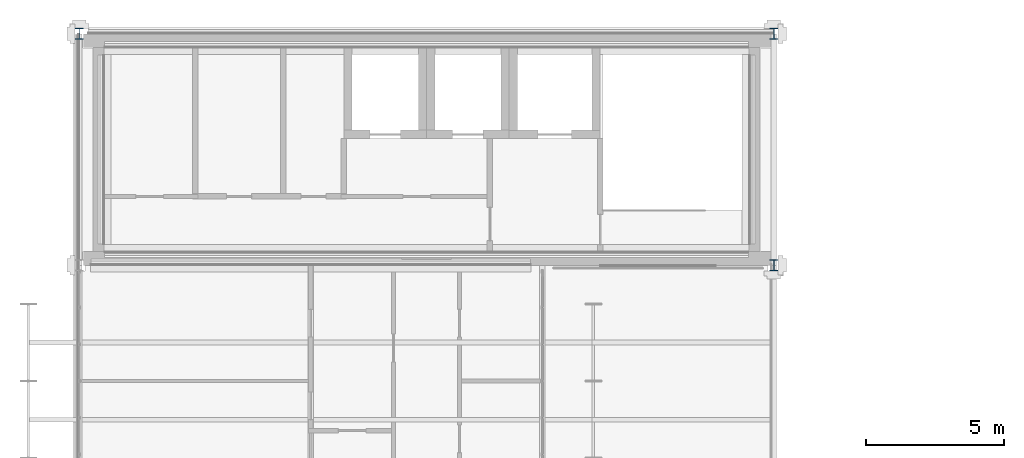
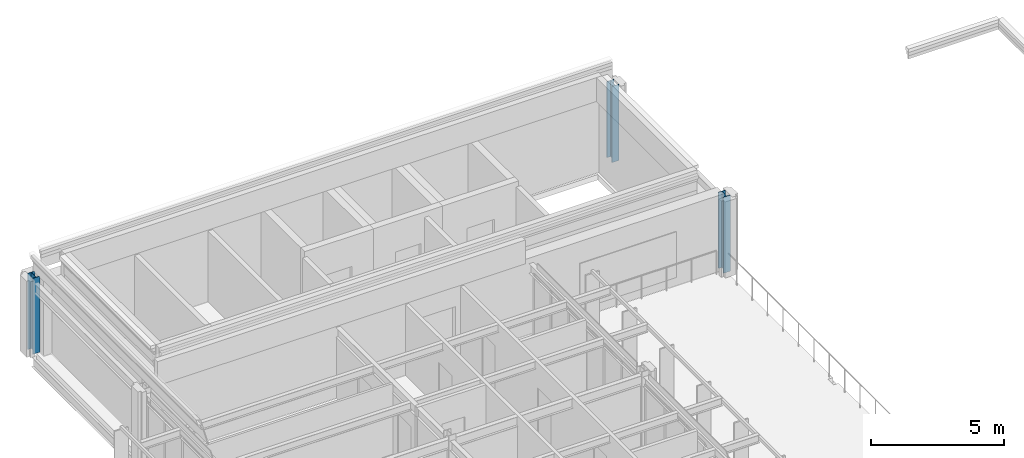
# One storey, part 2 of 31: 3 columns.
"""IFC4 building model written with IfcOpenShell, lengths in metres."""

from ifc_helpers import new_model, si_unit, direction, frame, origin, origin_2d, place, context, subcontext, project, spatial, i_section, extrude, material, material_profile, profile_set, type_object, element, save


model = new_model("IFC4")

# Units and contexts
model_context = context("Model", 3, precision=1e-05, world=origin(), true_north=direction((0.0, 1.0)))
body_context = subcontext(model_context, "Body", "Model", "MODEL_VIEW")
ifc_project = project(units=[si_unit("LENGTHUNIT", "METRE"), si_unit("AREAUNIT", "SQUARE_METRE"), si_unit("VOLUMEUNIT", "CUBIC_METRE"), si_unit("PLANEANGLEUNIT", "RADIAN"), si_unit("MASSUNIT", "GRAM", prefix="KILO")], contexts=[model_context])

# Site, building, storey
site_placement = place(None, origin())
site = spatial("IfcSite", under=ifc_project, at=site_placement, CompositionType="ELEMENT")
building_placement = place(site_placement, origin())
building = spatial("IfcBuilding", under=site, at=building_placement, Name="Catenary Quay Ferry Terminal", CompositionType="ELEMENT")
storey_placement = place(building_placement, frame((0.0, 0.0, 20.60009765625)))
storey = spatial("IfcBuildingStorey", under=building, at=storey_placement, Name="L04", CompositionType="ELEMENT", Elevation=20.60009765625)

# Columns
ifc_material = material(Name="Steel S355", Category="steel")
ifc_material_profile = material_profile(ifc_material, i_section(OverallWidth=0.300048828125, OverallDepth=0.39990234375, WebThickness=0.013427734375, FlangeThickness=0.02392578125, at=origin_2d()), Name="HEB 400")
ifc_profile_set = profile_set([ifc_material_profile], Name="Steel S355")
column_type = type_object("IfcColumnType", Name="C2 HEB 400", PredefinedType="COLUMN", material=ifc_profile_set)
for number, where, z_axis, x_axis, name in (
    (1, (25.199951171875, 210.0, 0.0), (0.0, 0.0, 1.0), (1.0, 0.0, 0.0), "Column C-D26 L04"),
    (2, (50.39990234375, 201.60009765625, 0.0), (0.0, 0.0, 1.0), (1.0, 0.0, 0.0), "Column C-G25 L04"),
    (3, (50.39990234375, 210.0, 0.0), (0.0, 0.0, 1.0), (1.0, 0.0, 0.0), "Column C-G26 L04"),
):
    element("IfcColumn", number, at=place(storey_placement, frame(where, z_axis=z_axis, x_axis=x_axis)), inside=storey, type_object=column_type, Name=name, PredefinedType="COLUMN", context=body_context, shape_type="SweptSolid", body=[
        extrude(i_section(OverallWidth=0.300048828125, OverallDepth=0.39990234375, WebThickness=0.013427734375, FlangeThickness=0.02392578125, at=origin_2d()), origin(), (0.0, 0.0, 1.0), 3.5),
    ])

save(model, "model.ifc")
